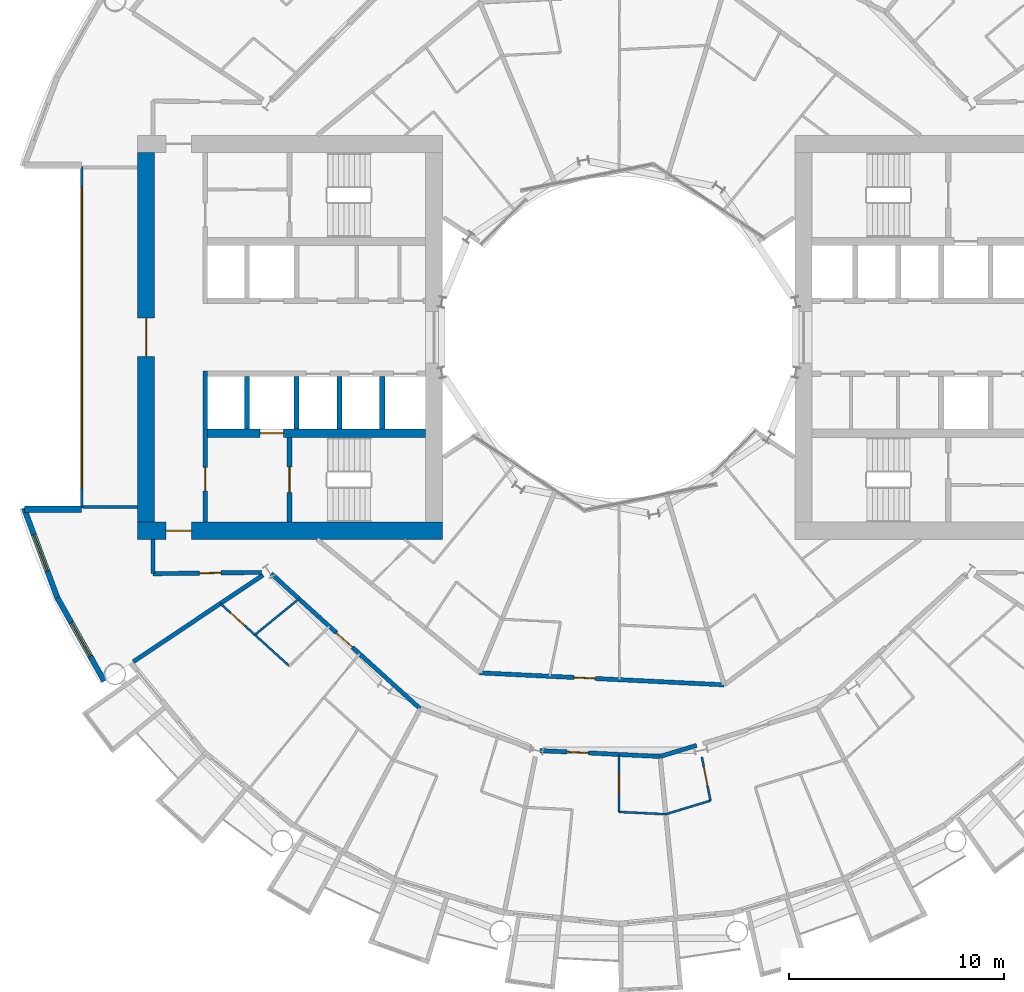
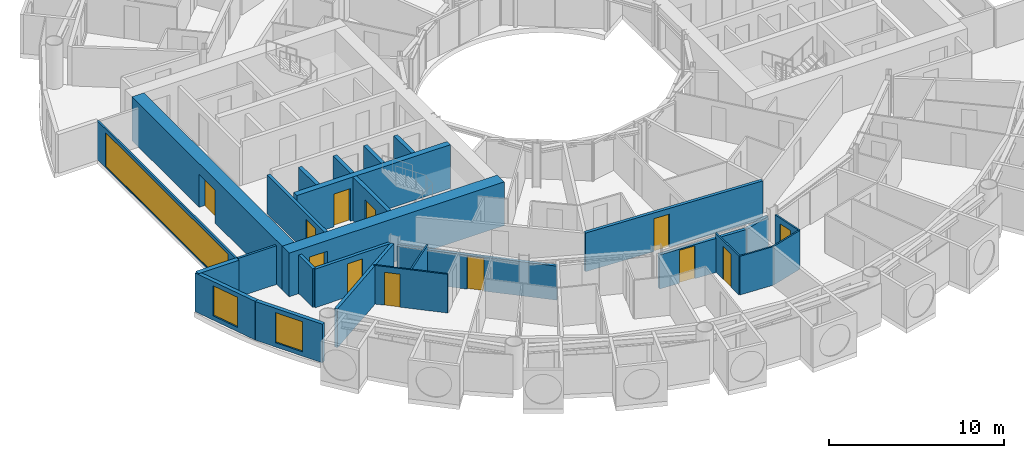
# One storey, part 14 of 25: 27 walls, 12 doors, 3 windows, 15 openings.
"""IFC4 building model written with IfcOpenShell, lengths in metres."""

from ifc_helpers import new_model, si_unit, direction, frame, frame_2d, origin, place, context, subcontext, project, spatial, rectangle, extrude, material, layer, layer_set, type_object, element, fill, save


model = new_model("IFC4")

# Units and contexts
model_context = context("Model", 3, precision=1e-05, world=origin(), true_north=direction((0.0, 1.0)))
body_context = subcontext(model_context, "Body", "Model", "MODEL_VIEW")
ifc_project = project(units=[si_unit("LENGTHUNIT", "METRE"), si_unit("AREAUNIT", "SQUARE_METRE"), si_unit("VOLUMEUNIT", "CUBIC_METRE"), si_unit("PLANEANGLEUNIT", "RADIAN"), si_unit("MASSUNIT", "GRAM", prefix="KILO")], contexts=[model_context])

# Site, building, storey
site_placement = place(None, origin())
site = spatial("IfcSite", under=ifc_project, at=site_placement, CompositionType="ELEMENT")
building_placement = place(site_placement, origin())
building = spatial("IfcBuilding", under=site, at=building_placement, Name="Maasbend Ring Residences", CompositionType="ELEMENT")
storey_placement = place(building_placement, frame((0.0, 0.0, 41.10009765625)))
storey = spatial("IfcBuildingStorey", under=building, at=storey_placement, Name="L11", CompositionType="ELEMENT", Elevation=41.10009765625)

# Wall, opening, door
ifc_material_1 = material(Name="Concrete C70/85", Category="concrete")
ifc_layer_1 = layer(ifc_material_1, 0.25)
ifc_layer_set_1 = layer_set([ifc_layer_1], Name="Concrete C70/85")
wall_type_1 = type_object("IfcWallType", Name="CORE WALL 250 C70/85", PredefinedType="SHEAR", material=ifc_layer_set_1)
wall_1_placement = place(storey_placement, frame((-15.324951171875, -4.64990234375, 0.0), z_axis=(0.0, 0.0, 1.0), x_axis=(0.0, -1.0, 0.0)))
wall_1 = element("IfcWall", 1, at=wall_1_placement, inside=storey, type_object=wall_type_1, Name="L11 core W wall STEN", PredefinedType="SHEAR", context=body_context, shape_type="SweptSolid", body=[
    extrude(rectangle(XDim=3.9501953125, YDim=0.25, at=frame_2d((1.97509765625, 0.0))), origin(), (0.0, 0.0, 1.0), 3.0498046875),
])
opening_1_placement = place(wall_1_placement, frame((1.375, 0.0, 0.0)))
opening_1 = element("IfcOpeningElement", 2, at=opening_1_placement, cuts=wall_1, Name="Opening D-W1110", PredefinedType="OPENING", context=body_context, shape_type="SweptSolid", body=[
    extrude(rectangle(XDim=1.199951171875, YDim=2.300048828125, at=frame_2d((0.60009765625, 1.14990234375))), frame((0.0, 0.135009765625, 0.0), z_axis=(0.0, -1.0, 0.0), x_axis=(1.0, 0.0, 0.0)), (0.0, 0.0, 1.0), 0.27001953125),
])
ifc_material_2 = material(Name="Steel, powder coated", Category="steel")
door_type_1 = type_object("IfcDoorType", Name="STAIR DOOR 1200 X 2300 FD60", OperationType="NOTDEFINED", PredefinedType="DOOR", material=ifc_material_2)
door_1_placement = place(opening_1_placement, origin())
door_1 = element("IfcDoor", 3, at=door_1_placement, inside=storey, type_object=door_type_1, Name="Stair door ST-W L11", OperationType="SINGLE_SWING_LEFT", OverallHeight=2.300048828125, OverallWidth=1.199951171875, PredefinedType="DOOR", context=body_context, shape_type="SweptSolid", body=[
    extrude(rectangle(XDim=1.199951171875, YDim=2.300048828125, at=frame_2d((0.60009765625, 1.14990234375))), frame((0.0, 0.02490234375, 0.0), z_axis=(0.0, -1.0, 0.0), x_axis=(1.0, 0.0, 0.0)), (0.0, 0.0, 1.0), 0.050048828125),
])
fill(opening_1, door_1)

ifc_material_3 = material(Name="Concrete C70/85", Category="concrete")
ifc_layer_2 = layer(ifc_material_3, 0.375)
ifc_layer_set_2 = layer_set([ifc_layer_2], Name="Concrete C70/85")
wall_type_2 = type_object("IfcWallType", Name="CORE WALL 375 C70/85", PredefinedType="SHEAR", material=ifc_layer_set_2)
wall_2_placement = place(storey_placement, frame((-9.0, -4.46240234375, 0.0), z_axis=(0.0, 0.0, 1.0), x_axis=(-1.0, 0.0, 0.0)))
wall_2 = element("IfcWall", 4, at=wall_2_placement, inside=storey, type_object=wall_type_2, Name="L11 core W wall BN", PredefinedType="SHEAR", context=body_context, shape_type="SweptSolid", body=[
    extrude(rectangle(XDim=10.14990234375, YDim=0.375, at=frame_2d((5.074951171875, 0.0))), origin(), (0.0, 0.0, 1.0), 3.0498046875),
])
opening_2_placement = place(wall_2_placement, frame((6.60009765625, 0.0, 0.0)))
opening_2 = element("IfcOpeningElement", 5, at=opening_2_placement, cuts=wall_2, Name="Opening LD-W1104", PredefinedType="OPENING", context=body_context, shape_type="SweptSolid", body=[
    extrude(rectangle(XDim=1.10009765625, YDim=2.300048828125, at=frame_2d((0.550048828125, 1.14990234375))), frame((0.0, 0.197509765625, 0.0), z_axis=(0.0, -1.0, 0.0), x_axis=(1.0, 0.0, 0.0)), (0.0, 0.0, 1.0), 0.39501953125),
])
ifc_material_4 = material(Name="Stainless steel 316", Category="steel")
door_type_2 = type_object("IfcDoorType", Name="LANDING DOOR 1100 X 2300 FD60", OperationType="DOUBLE_DOOR_SLIDING", PredefinedType="DOOR", material=ifc_material_4)
door_2_placement = place(opening_2_placement, origin())
door_2 = element("IfcDoor", 6, at=door_2_placement, inside=storey, type_object=door_type_2, Name="Landing door FF-W L11", OperationType="DOUBLE_DOOR_SLIDING", OverallHeight=2.300048828125, OverallWidth=1.10009765625, PredefinedType="DOOR", context=body_context, shape_type="SweptSolid", body=[
    extrude(rectangle(XDim=1.10009765625, YDim=2.300048828125, at=frame_2d((0.550048828125, 1.14990234375))), frame((0.0, 0.02490234375, 0.0), z_axis=(0.0, -1.0, 0.0), x_axis=(1.0, 0.0, 0.0)), (0.0, 0.0, 1.0), 0.050048828125),
])
fill(opening_2, door_2)

ifc_material_5 = material(Name="Concrete C70/85", Category="concrete")
ifc_layer_3 = layer(ifc_material_5, 0.800048828125)
ifc_layer_set_3 = layer_set([ifc_layer_3], Name="Concrete C70/85")
wall_type_3 = type_object("IfcWallType", Name="CORE WALL 800 C70/85", PredefinedType="SHEAR", material=ifc_layer_set_3)
wall_3_placement = place(storey_placement, frame((-22.39990234375, -9.0, 0.0), z_axis=(0.0, 0.0, 1.0), x_axis=(1.0, 0.0, 0.0)))
wall_3 = element("IfcWall", 7, at=wall_3_placement, inside=storey, type_object=wall_type_3, Name="L11 core W wall PN", PredefinedType="SHEAR", context=body_context, shape_type="SweptSolid", body=[
    extrude(rectangle(XDim=14.199951171875, YDim=0.800048828125, at=frame_2d((7.10009765625, 0.0))), origin(), (0.0, 0.0, 1.0), 3.0498046875),
])
opening_3_placement = place(wall_3_placement, frame((1.324951171875, 0.0, 0.0)))
opening_3 = element("IfcOpeningElement", 8, at=opening_3_placement, cuts=wall_3, Name="Opening D-W1114", PredefinedType="OPENING", context=body_context, shape_type="SweptSolid", body=[
    extrude(rectangle(XDim=1.199951171875, YDim=2.300048828125, at=frame_2d((0.60009765625, 1.14990234375))), frame((0.0, 0.41015625, 0.0), z_axis=(0.0, -1.0, 0.0), x_axis=(1.0, 0.0, 0.0)), (0.0, 0.0, 1.0), 0.820068359375),
])
ifc_material_6 = material(Name="Steel, powder coated", Category="steel")
door_type_3 = type_object("IfcDoorType", Name="CORRIDOR DOOR 1200 X 2300 FD30S", OperationType="NOTDEFINED", PredefinedType="DOOR", material=ifc_material_6)
door_3_placement = place(opening_3_placement, origin())
door_3 = element("IfcDoor", 9, at=door_3_placement, inside=storey, type_object=door_type_3, Name="Corridor door L11", OperationType="SINGLE_SWING_RIGHT", OverallHeight=2.300048828125, OverallWidth=1.199951171875, PredefinedType="DOOR", context=body_context, shape_type="SweptSolid", body=[
    extrude(rectangle(XDim=1.199951171875, YDim=2.300048828125, at=frame_2d((0.60009765625, 1.14990234375))), frame((0.0, 0.02490234375, 0.0), z_axis=(0.0, -1.0, 0.0), x_axis=(1.0, 0.0, 0.0)), (0.0, 0.0, 1.0), 0.050048828125),
])
fill(opening_3, door_3)

wall_4_placement = place(storey_placement, frame((-22.0, -8.60009765625, 0.0), z_axis=(0.0, 0.0, 1.0), x_axis=(0.0, 1.0, 0.0)))
wall_4 = element("IfcWall", 10, at=wall_4_placement, inside=storey, type_object=wall_type_3, Name="L11 core W wall POUT", PredefinedType="SHEAR", context=body_context, shape_type="SweptSolid", body=[
    extrude(rectangle(XDim=17.2001953125, YDim=0.800048828125, at=frame_2d((8.60009765625, 0.0))), origin(), (0.0, 0.0, 1.0), 3.0498046875),
])
opening_4_placement = place(wall_4_placement, frame((7.699951171875, 0.0, 0.0)))
opening_4 = element("IfcOpeningElement", 11, at=opening_4_placement, cuts=wall_4, Name="Opening D-W1116", PredefinedType="OPENING", context=body_context, shape_type="SweptSolid", body=[
    extrude(rectangle(XDim=1.800048828125, YDim=2.300048828125, at=frame_2d((0.89990234375, 1.14990234375))), frame((0.0, 0.41015625, 0.0), z_axis=(0.0, -1.0, 0.0), x_axis=(1.0, 0.0, 0.0)), (0.0, 0.0, 1.0), 0.820068359375),
])
ifc_material_7 = material(Name="Aluminium frame, clear glass", Category="aluminium")
door_type_4 = type_object("IfcDoorType", Name="ENTRANCE DOOR 1800 X 2300 FD60", OperationType="NOTDEFINED", PredefinedType="DOOR", material=ifc_material_7)
door_4_placement = place(opening_4_placement, origin())
door_4 = element("IfcDoor", 12, at=door_4_placement, inside=storey, type_object=door_type_4, Name="Lobby glazed door L11", OperationType="SINGLE_SWING_LEFT", OverallHeight=2.300048828125, OverallWidth=1.800048828125, PredefinedType="DOOR", context=body_context, shape_type="SweptSolid", body=[
    extrude(rectangle(XDim=1.800048828125, YDim=2.300048828125, at=frame_2d((0.89990234375, 1.14990234375))), frame((0.0, 0.02490234375, 0.0), z_axis=(0.0, -1.0, 0.0), x_axis=(1.0, 0.0, 0.0)), (0.0, 0.0, 1.0), 0.050048828125),
])
fill(opening_4, door_4)

ifc_material_8 = material(Name="Concrete C30/37", Category="concrete")
ifc_layer_4 = layer(ifc_material_8, 0.199951171875)
ifc_layer_set_4 = layer_set([ifc_layer_4], Name="Concrete C30/37")
wall_type_4 = type_object("IfcWallType", Name="CORRIDOR WALL 200 CONCRETE", PredefinedType="PARTITIONING", material=ifc_layer_set_4)
wall_5_placement = place(storey_placement, frame((-3.669921875, -19.23095703125, 0.0), z_axis=(0.0, 0.0, 1.0), x_axis=(0.99879118777, -0.049154483346, 0.0)))
wall_5 = element("IfcWall", 13, at=wall_5_placement, inside=storey, type_object=wall_type_4, Name="U-L11-w014", PredefinedType="PARTITIONING", context=body_context, shape_type="SweptSolid", body=[
    extrude(rectangle(XDim=5.59765625, YDim=0.199951171875, at=frame_2d((2.798828125, 0.0))), origin(), (0.0, 0.0, 1.0), 2.3798828125),
])
opening_5_placement = place(wall_5_placement, frame((1.263916015625, 0.0, 0.0)))
opening_5 = element("IfcOpeningElement", 14, at=opening_5_placement, cuts=wall_5, Name="Opening D-1144", PredefinedType="OPENING", context=body_context, shape_type="SweptSolid", body=[
    extrude(rectangle(XDim=1.0, YDim=2.300048828125, at=frame_2d((0.5, 1.14990234375))), frame((0.0, 0.10986328125, 0.0), z_axis=(0.0, -1.0, 0.0), x_axis=(1.0, 0.0, 0.0)), (0.0, 0.0, 1.0), 0.219970703125),
])
ifc_material_9 = material(Name="Timber, fire-rated, painted", Category="wood")
door_type_5 = type_object("IfcDoorType", Name="FLAT ENTRANCE DOOR 1000 X 2300 FIRE-RATED", OperationType="NOTDEFINED", PredefinedType="DOOR", material=ifc_material_9)
door_5_placement = place(opening_5_placement, origin())
door_5 = element("IfcDoor", 15, at=door_5_placement, inside=storey, type_object=door_type_5, Name="D-1144", OperationType="SINGLE_SWING_LEFT", OverallHeight=2.300048828125, OverallWidth=1.0, PredefinedType="DOOR", context=body_context, shape_type="SweptSolid", body=[
    extrude(rectangle(XDim=1.0, YDim=2.300048828125, at=frame_2d((0.5, 1.14990234375))), frame((0.0, 0.02490234375, 0.0), z_axis=(0.0, -1.0, 0.0), x_axis=(1.0, 0.0, 0.0)), (0.0, 0.0, 1.0), 0.050048828125),
])
fill(opening_5, door_5)

# Wall
wall_6_placement = place(storey_placement, frame((1.9208984375, -19.506103515625, 0.0), z_axis=(0.0, 0.0, 1.0), x_axis=(0.956929641646, 0.290319928594, 0.0)))
element("IfcWall", 16, at=wall_6_placement, inside=storey, type_object=wall_type_4, Name="U-L11-w015", PredefinedType="PARTITIONING", context=body_context, shape_type="SweptSolid", body=[
    extrude(rectangle(XDim=1.77783203125, YDim=0.199951171875, at=frame_2d((0.888916015625, 0.0))), origin(), (0.0, 0.0, 1.0), 2.3798828125),
])

# Wall, opening, door
wall_7_placement = place(storey_placement, frame((-16.178955078125, -10.993896484375, 0.0), z_axis=(0.0, 0.0, 1.0), x_axis=(0.740659568799, -0.671880497668, 0.0)))
wall_7 = element("IfcWall", 17, at=wall_7_placement, inside=storey, type_object=wall_type_4, Name="U-L11-w017", PredefinedType="PARTITIONING", context=body_context, shape_type="SweptSolid", body=[
    extrude(rectangle(XDim=9.3603515625, YDim=0.199951171875, at=frame_2d((4.68017578125, 0.0))), origin(), (0.0, 0.0, 1.0), 2.3798828125),
])
opening_6_placement = place(wall_7_placement, frame((4.10498046875, 0.0, 0.0)))
opening_6 = element("IfcOpeningElement", 18, at=opening_6_placement, cuts=wall_7, Name="Opening D-1135", PredefinedType="OPENING", context=body_context, shape_type="SweptSolid", body=[
    extrude(rectangle(XDim=1.0, YDim=2.300048828125, at=frame_2d((0.5, 1.14990234375))), frame((0.0, 0.10986328125, 0.0), z_axis=(0.0, -1.0, 0.0), x_axis=(1.0, 0.0, 0.0)), (0.0, 0.0, 1.0), 0.219970703125),
])
door_6_placement = place(opening_6_placement, origin())
door_6 = element("IfcDoor", 19, at=door_6_placement, inside=storey, type_object=door_type_5, Name="D-1135", OperationType="SINGLE_SWING_LEFT", OverallHeight=2.300048828125, OverallWidth=1.0, PredefinedType="DOOR", context=body_context, shape_type="SweptSolid", body=[
    extrude(rectangle(XDim=1.0, YDim=2.300048828125, at=frame_2d((0.5, 1.14990234375))), frame((0.0, 0.02490234375, 0.0), z_axis=(0.0, -1.0, 0.0), x_axis=(1.0, 0.0, 0.0)), (0.0, 0.0, 1.0), 0.050048828125),
])
fill(opening_6, door_6)

wall_8_placement = place(storey_placement, frame((-6.468994140625, -15.614013671875, 0.0), z_axis=(0.0, 0.0, 1.0), x_axis=(0.998798520108, -0.049005267363, 0.0)))
wall_8 = element("IfcWall", 20, at=wall_8_placement, inside=storey, type_object=wall_type_4, Name="U-L11-w020", PredefinedType="PARTITIONING", context=body_context, shape_type="SweptSolid", body=[
    extrude(rectangle(XDim=11.388671875, YDim=0.199951171875, at=frame_2d((5.6943359375, 0.0))), origin(), (0.0, 0.0, 1.0), 2.699951171875),
])
opening_7_placement = place(wall_8_placement, frame((4.383056640625, 0.0, 0.0)))
opening_7 = element("IfcOpeningElement", 21, at=opening_7_placement, cuts=wall_8, Name="Opening D-1161", PredefinedType="OPENING", context=body_context, shape_type="SweptSolid", body=[
    extrude(rectangle(XDim=1.0, YDim=2.300048828125, at=frame_2d((0.5, 1.14990234375))), frame((0.0, 0.10986328125, 0.0), z_axis=(0.0, -1.0, 0.0), x_axis=(1.0, 0.0, 0.0)), (0.0, 0.0, 1.0), 0.219970703125),
])
door_7_placement = place(opening_7_placement, origin())
door_7 = element("IfcDoor", 22, at=door_7_placement, inside=storey, type_object=door_type_5, Name="D-1161", OperationType="SINGLE_SWING_LEFT", OverallHeight=2.300048828125, OverallWidth=1.0, PredefinedType="DOOR", context=body_context, shape_type="SweptSolid", body=[
    extrude(rectangle(XDim=1.0, YDim=2.300048828125, at=frame_2d((0.5, 1.14990234375))), frame((0.0, 0.02490234375, 0.0), z_axis=(0.0, -1.0, 0.0), x_axis=(1.0, 0.0, 0.0)), (0.0, 0.0, 1.0), 0.050048828125),
])
fill(opening_7, door_7)

wall_9_placement = place(storey_placement, frame((-21.675048828125, -11.0, 0.0), z_axis=(0.0, 0.0, 1.0), x_axis=(0.999926652916, 0.012111514691, 0.0)))
wall_9 = element("IfcWall", 23, at=wall_9_placement, inside=storey, type_object=wall_type_4, Name="U-L11-w028", PredefinedType="PARTITIONING", context=body_context, shape_type="SweptSolid", body=[
    extrude(rectangle(XDim=5.03955078125, YDim=0.199951171875, at=frame_2d((2.519775390625, 0.0))), origin(), (0.0, 0.0, 1.0), 2.699951171875),
])
opening_8_placement = place(wall_9_placement, frame((2.154052734375, 0.0, 0.0)))
opening_8 = element("IfcOpeningElement", 24, at=opening_8_placement, cuts=wall_9, Name="Opening D-1169", PredefinedType="OPENING", context=body_context, shape_type="SweptSolid", body=[
    extrude(rectangle(XDim=1.0, YDim=2.300048828125, at=frame_2d((0.5, 1.14990234375))), frame((0.0, 0.10986328125, 0.0), z_axis=(0.0, -1.0, 0.0), x_axis=(1.0, 0.0, 0.0)), (0.0, 0.0, 1.0), 0.219970703125),
])
ifc_material_10 = material(Name="Timber, painted", Category="wood")
door_type_6 = type_object("IfcDoorType", Name="ROOM DOOR 1000 X 2300", OperationType="NOTDEFINED", PredefinedType="DOOR", material=ifc_material_10)
door_8_placement = place(opening_8_placement, origin())
door_8 = element("IfcDoor", 25, at=door_8_placement, inside=storey, type_object=door_type_6, Name="D-1169", OperationType="SINGLE_SWING_RIGHT", OverallHeight=2.300048828125, OverallWidth=1.0, PredefinedType="DOOR", context=body_context, shape_type="SweptSolid", body=[
    extrude(rectangle(XDim=1.0, YDim=2.300048828125, at=frame_2d((0.5, 1.14990234375))), frame((0.0, 0.02490234375, 0.0), z_axis=(0.0, -1.0, 0.0), x_axis=(1.0, 0.0, 0.0)), (0.0, 0.0, 1.0), 0.050048828125),
])
fill(opening_8, door_8)

# Wall
wall_10_placement = place(storey_placement, frame((-21.675048828125, -11.0, 0.0), z_axis=(0.0, 0.0, 1.0), x_axis=(0.0, 1.0, 0.0)))
element("IfcWall", 26, at=wall_10_placement, inside=storey, type_object=wall_type_4, Name="U-L11-w115", PredefinedType="PARTITIONING", context=body_context, shape_type="SweptSolid", body=[
    extrude(rectangle(XDim=1.60009765625, YDim=0.199951171875, at=frame_2d((0.800048828125, 0.0))), origin(), (0.0, 0.0, 1.0), 2.699951171875),
])

# Wall, opening, window
ifc_material_11 = material(Name="Aluminium clad insulated panel", Category="aluminium")
ifc_layer_5 = layer(ifc_material_11, 0.25)
ifc_layer_set_5 = layer_set([ifc_layer_5], Name="EW-HORN")
wall_type_5 = type_object("IfcWallType", Name="EW-HORN", PredefinedType="SOLIDWALL", material=ifc_layer_set_5)
wall_11_placement = place(storey_placement, frame((-27.681884765625, -7.945068359375, 0.0), z_axis=(0.0, 0.0, 1.0), x_axis=(0.349247811493, -0.937030397675, 0.0)))
wall_11 = element("IfcWall", 27, at=wall_11_placement, inside=storey, type_object=wall_type_5, Name="Horn wall 3.1", PredefinedType="SOLIDWALL", context=body_context, shape_type="SweptSolid", body=[
    extrude(rectangle(XDim=4.4521484375, YDim=0.25, at=frame_2d((2.22607421875, 0.0))), origin(), (0.0, 0.0, 1.0), 2.699951171875),
])
opening_9_placement = place(wall_11_placement, frame((1.32666015625, 0.0, 0.300048828125)))
opening_9 = element("IfcOpeningElement", 28, at=opening_9_placement, cuts=wall_11, Name="Opening W-BX", PredefinedType="OPENING", context=body_context, shape_type="SweptSolid", body=[
    extrude(rectangle(XDim=1.800048828125, YDim=2.10009765625, at=frame_2d((0.89990234375, 1.050048828125))), frame((0.0, 0.135009765625, 0.0), z_axis=(0.0, -1.0, 0.0), x_axis=(1.0, 0.0, 0.0)), (0.0, 0.0, 1.0), 0.27001953125),
])
ifc_material_12 = material(Name="Aluminium and clear glass", Category="aluminium")
window_type_1 = type_object("IfcWindowType", Name="W-BX", PartitioningType="DOUBLE_PANEL_VERTICAL", PredefinedType="WINDOW", material=ifc_material_12)
window_1_placement = place(opening_9_placement, origin())
window_1 = element("IfcWindow", 29, at=window_1_placement, inside=storey, type_object=window_type_1, Name="Horn window 3.1", OverallHeight=2.10009765625, OverallWidth=1.800048828125, PartitioningType="SINGLE_PANEL", PredefinedType="WINDOW", context=body_context, shape_type="SweptSolid", body=[
    extrude(rectangle(XDim=1.800048828125, YDim=2.10009765625, at=frame_2d((0.89990234375, 1.050048828125))), frame((0.0, 0.030029296875, 0.0), z_axis=(0.0, -1.0, 0.0), x_axis=(1.0, 0.0, 0.0)), (0.0, 0.0, 1.0), 0.06005859375),
])
fill(opening_9, window_1)

wall_12_placement = place(storey_placement, frame((-26.126953125, -12.116943359375, 0.0), z_axis=(0.0, 0.0, 1.0), x_axis=(0.489696356642, -0.871893042919, 0.0)))
wall_12 = element("IfcWall", 30, at=wall_12_placement, inside=storey, type_object=wall_type_5, Name="Horn wall 3.2", PredefinedType="SOLIDWALL", context=body_context, shape_type="SweptSolid", body=[
    extrude(rectangle(XDim=4.45361328125, YDim=0.25, at=frame_2d((2.226806640625, 0.0))), origin(), (0.0, 0.0, 1.0), 2.699951171875),
])
opening_10_placement = place(wall_12_placement, frame((1.32666015625, 0.0, 0.300048828125)))
opening_10 = element("IfcOpeningElement", 31, at=opening_10_placement, cuts=wall_12, Name="Opening W-BX", PredefinedType="OPENING", context=body_context, shape_type="SweptSolid", body=[
    extrude(rectangle(XDim=1.800048828125, YDim=2.10009765625, at=frame_2d((0.89990234375, 1.050048828125))), frame((0.0, 0.135009765625, 0.0), z_axis=(0.0, -1.0, 0.0), x_axis=(1.0, 0.0, 0.0)), (0.0, 0.0, 1.0), 0.27001953125),
])
window_2_placement = place(opening_10_placement, origin())
window_2 = element("IfcWindow", 32, at=window_2_placement, inside=storey, type_object=window_type_1, Name="Horn window 3.2", OverallHeight=2.10009765625, OverallWidth=1.800048828125, PartitioningType="SINGLE_PANEL", PredefinedType="WINDOW", context=body_context, shape_type="SweptSolid", body=[
    extrude(rectangle(XDim=1.800048828125, YDim=2.10009765625, at=frame_2d((0.89990234375, 1.050048828125))), frame((0.0, 0.030029296875, 0.0), z_axis=(0.0, -1.0, 0.0), x_axis=(1.0, 0.0, 0.0)), (0.0, 0.0, 1.0), 0.06005859375),
])
fill(opening_10, window_2)

# Wall
ifc_material_13 = material(Name="Aluminium clad insulated panel", Category="aluminium")
ifc_layer_6 = layer(ifc_material_13, 0.300048828125)
ifc_layer_set_6 = layer_set([ifc_layer_6], Name="EW-RET")
wall_type_6 = type_object("IfcWallType", Name="EW-RET", PredefinedType="SOLIDWALL", material=ifc_layer_set_6)
wall_13_placement = place(storey_placement, frame((-25.0, -8.0, 0.0), z_axis=(0.0, 0.0, 1.0), x_axis=(-1.0, 0.0, 0.0)))
element("IfcWall", 33, at=wall_13_placement, inside=storey, type_object=wall_type_6, Name="Notch return wall west south", PredefinedType="SOLIDWALL", context=body_context, shape_type="SweptSolid", body=[
    extrude(rectangle(XDim=2.6669921875, YDim=0.300048828125, at=frame_2d((1.33349609375, 0.0))), origin(), (0.0, 0.0, 1.0), 2.699951171875),
])

# Wall, opening, window
ifc_material_14 = material(Name="Aluminium frame and clear glass", Category="aluminium")
ifc_layer_7 = layer(ifc_material_14, 0.1201171875)
ifc_layer_set_7 = layer_set([ifc_layer_7], Name="GLAZED SCREEN WALL 120 EI 60")
wall_type_7 = type_object("IfcWallType", Name="GLAZED SCREEN WALL 120 EI 60", PredefinedType="PARTITIONING", material=ifc_layer_set_7)
wall_14_placement = place(storey_placement, frame((-25.0, 7.949951171875, 0.0), z_axis=(0.0, 0.0, 1.0), x_axis=(0.0, -1.0, 0.0)))
wall_14 = element("IfcWall", 34, at=wall_14_placement, inside=storey, type_object=wall_type_7, Name="L11 core W wall FACE", PredefinedType="PARTITIONING", context=body_context, shape_type="SweptSolid", body=[
    extrude(rectangle(XDim=15.89990234375, YDim=0.1201171875, at=frame_2d((7.949951171875, 0.0))), origin(), (0.0, 0.0, 1.0), 2.699951171875),
])
opening_11_placement = place(wall_14_placement, frame((0.949951171875, 0.0, 0.10009765625)))
opening_11 = element("IfcOpeningElement", 35, at=opening_11_placement, cuts=wall_14, Name="Opening W-W1102", PredefinedType="OPENING", context=body_context, shape_type="SweptSolid", body=[
    extrude(rectangle(XDim=14.0, YDim=2.35009765625, at=frame_2d((7.0, 1.175048828125))), frame((0.0, 0.070068359375, 0.0), z_axis=(0.0, -1.0, 0.0), x_axis=(1.0, 0.0, 0.0)), (0.0, 0.0, 1.0), 0.14013671875),
])
ifc_material_15 = material(Name="Aluminium frame and clear glass", Category="aluminium")
window_type_2 = type_object("IfcWindowType", Name="FIXED WINDOW 14000 X 2350", PartitioningType="SINGLE_PANEL", PredefinedType="WINDOW", material=ifc_material_15)
window_3_placement = place(opening_11_placement, origin())
window_3 = element("IfcWindow", 36, at=window_3_placement, inside=storey, type_object=window_type_2, Name="Lobby window L11", OverallHeight=2.35009765625, OverallWidth=14.0, PartitioningType="SINGLE_PANEL", PredefinedType="WINDOW", context=body_context, shape_type="SweptSolid", body=[
    extrude(rectangle(XDim=14.0, YDim=2.35009765625, at=frame_2d((7.0, 1.175048828125))), frame((0.0, 0.030029296875, 0.0), z_axis=(0.0, -1.0, 0.0), x_axis=(1.0, 0.0, 0.0)), (0.0, 0.0, 1.0), 0.06005859375),
])
fill(opening_11, window_3)

# Walls
ifc_material_16 = material(Name="Gypsum board on steel studs", Category="steel")
ifc_layer_8 = layer(ifc_material_16, 0.10009765625)
ifc_layer_set_8 = layer_set([ifc_layer_8], Name="PARTITION 100 GYPSUM")
wall_type_8 = type_object("IfcWallType", Name="PARTITION 100 GYPSUM", PredefinedType="PARTITIONING", material=ifc_layer_set_8)
wall_15_placement = place(storey_placement, frame((0.007080078125, -22.0859375, 0.0), z_axis=(0.0, 0.0, 1.0), x_axis=(0.998792477005, -0.049128279821, 0.0)))
element("IfcWall", 37, at=wall_15_placement, inside=storey, type_object=wall_type_8, Name="U-L11-w004", PredefinedType="PARTITIONING", context=body_context, shape_type="SweptSolid", body=[
    extrude(rectangle(XDim=2.181640625, YDim=0.10009765625, at=frame_2d((1.0908203125, 0.0))), origin(), (0.0, 0.0, 1.0), 2.699951171875),
])
wall_16_placement = place(storey_placement, frame((2.179931640625, -22.195068359375, 0.0), z_axis=(0.0, 0.0, 1.0), x_axis=(0.956838221976, 0.290621088303, 0.0)))
element("IfcWall", 38, at=wall_16_placement, inside=storey, type_object=wall_type_8, Name="U-L11-w005", PredefinedType="PARTITIONING", context=body_context, shape_type="SweptSolid", body=[
    extrude(rectangle(XDim=2.175048828125, YDim=0.10009765625, at=frame_2d((1.08740234375, 0.0))), origin(), (0.0, 0.0, 1.0), 2.699951171875),
])

# Wall, opening, door
wall_17_placement = place(storey_placement, frame((-18.544921875, -12.386962890625, 0.0), z_axis=(0.0, 0.0, 1.0), x_axis=(0.740948416939, -0.671561943112, 0.0)))
wall_17 = element("IfcWall", 39, at=wall_17_placement, inside=storey, type_object=wall_type_8, Name="U-L11-w009", PredefinedType="PARTITIONING", context=body_context, shape_type="SweptSolid", body=[
    extrude(rectangle(XDim=4.3349609375, YDim=0.10009765625, at=frame_2d((2.16748046875, 0.0))), origin(), (0.0, 0.0, 1.0), 2.699951171875),
])
opening_12_placement = place(wall_17_placement, frame((0.635986328125, 0.0, 0.0)))
opening_12 = element("IfcOpeningElement", 40, at=opening_12_placement, cuts=wall_17, Name="Opening D-1136", PredefinedType="OPENING", context=body_context, shape_type="SweptSolid", body=[
    extrude(rectangle(XDim=0.89990234375, YDim=2.300048828125, at=frame_2d((0.449951171875, 1.14990234375))), frame((0.0, 0.06005859375, 0.0), z_axis=(0.0, -1.0, 0.0), x_axis=(1.0, 0.0, 0.0)), (0.0, 0.0, 1.0), 0.1201171875),
])
ifc_material_17 = material(Name="Timber, painted", Category="wood")
door_type_7 = type_object("IfcDoorType", Name="INTERNAL DOOR 900 X 2300", OperationType="NOTDEFINED", PredefinedType="DOOR", material=ifc_material_17)
door_9_placement = place(opening_12_placement, origin())
door_9 = element("IfcDoor", 41, at=door_9_placement, inside=storey, type_object=door_type_7, Name="D-1136", OperationType="SINGLE_SWING_LEFT", OverallHeight=2.300048828125, OverallWidth=0.89990234375, PredefinedType="DOOR", context=body_context, shape_type="SweptSolid", body=[
    extrude(rectangle(XDim=0.89990234375, YDim=2.300048828125, at=frame_2d((0.449951171875, 1.14990234375))), frame((0.0, 0.02490234375, 0.0), z_axis=(0.0, -1.0, 0.0), x_axis=(1.0, 0.0, 0.0)), (0.0, 0.0, 1.0), 0.050048828125),
])
fill(opening_12, door_9)

# Wall
wall_18_placement = place(storey_placement, frame((-16.93603515625, -13.844970703125, 0.0), z_axis=(0.0, 0.0, 1.0), x_axis=(0.774162545943, 0.632986850147, 0.0)))
element("IfcWall", 42, at=wall_18_placement, inside=storey, type_object=wall_type_8, Name="U-L11-w038", PredefinedType="PARTITIONING", context=body_context, shape_type="SweptSolid", body=[
    extrude(rectangle(XDim=2.6494140625, YDim=0.10009765625, at=frame_2d((1.32470703125, 0.0))), origin(), (0.0, 0.0, 1.0), 2.699951171875),
])

# Wall, opening, door
wall_19_placement = place(storey_placement, frame((0.010009765625, -22.0859375, 0.0), z_axis=(0.0, 0.0, 1.0), x_axis=(-0.000365230071, 0.999999933303, 0.0)))
wall_19 = element("IfcWall", 43, at=wall_19_placement, inside=storey, type_object=wall_type_8, Name="U-L11-w063", PredefinedType="PARTITIONING", context=body_context, shape_type="SweptSolid", body=[
    extrude(rectangle(XDim=2.673828125, YDim=0.10009765625, at=frame_2d((1.3369140625, 0.0))), origin(), (0.0, 0.0, 1.0), 2.699951171875),
])
opening_13_placement = place(wall_19_placement, frame((0.886962890625, 0.0, 0.0)))
opening_13 = element("IfcOpeningElement", 44, at=opening_13_placement, cuts=wall_19, Name="Opening D-1145", PredefinedType="OPENING", context=body_context, shape_type="SweptSolid", body=[
    extrude(rectangle(XDim=0.89990234375, YDim=2.300048828125, at=frame_2d((0.449951171875, 1.14990234375))), frame((0.0, 0.06005859375, 0.0), z_axis=(0.0, -1.0, 0.0), x_axis=(1.0, 0.0, 0.0)), (0.0, 0.0, 1.0), 0.1201171875),
])
door_10_placement = place(opening_13_placement, origin())
door_10 = element("IfcDoor", 45, at=door_10_placement, inside=storey, type_object=door_type_7, Name="D-1145", OperationType="SINGLE_SWING_RIGHT", OverallHeight=2.300048828125, OverallWidth=0.89990234375, PredefinedType="DOOR", context=body_context, shape_type="SweptSolid", body=[
    extrude(rectangle(XDim=0.89990234375, YDim=2.300048828125, at=frame_2d((0.449951171875, 1.14990234375))), frame((0.0, 0.02490234375, 0.0), z_axis=(0.0, -1.0, 0.0), x_axis=(1.0, 0.0, 0.0)), (0.0, 0.0, 1.0), 0.050048828125),
])
fill(opening_13, door_10)

wall_20_placement = place(storey_placement, frame((3.865966796875, -19.531005859375, 0.0), z_axis=(0.0, 0.0, 1.0), x_axis=(0.193846698927, -0.981031832977, 0.0)))
wall_20 = element("IfcWall", 46, at=wall_20_placement, inside=storey, type_object=wall_type_8, Name="U-L11-w070", PredefinedType="PARTITIONING", context=body_context, shape_type="SweptSolid", body=[
    extrude(rectangle(XDim=2.0693359375, YDim=0.10009765625, at=frame_2d((1.03466796875, 0.0))), origin(), (0.0, 0.0, 1.0), 2.699951171875),
])
opening_14_placement = place(wall_20_placement, frame((0.458984375, 0.0, 0.0)))
opening_14 = element("IfcOpeningElement", 47, at=opening_14_placement, cuts=wall_20, Name="Opening D-1148", PredefinedType="OPENING", context=body_context, shape_type="SweptSolid", body=[
    extrude(rectangle(XDim=0.89990234375, YDim=2.300048828125, at=frame_2d((0.449951171875, 1.14990234375))), frame((0.0, 0.06005859375, 0.0), z_axis=(0.0, -1.0, 0.0), x_axis=(1.0, 0.0, 0.0)), (0.0, 0.0, 1.0), 0.1201171875),
])
door_11_placement = place(opening_14_placement, origin())
door_11 = element("IfcDoor", 48, at=door_11_placement, inside=storey, type_object=door_type_7, Name="D-1148", OperationType="SINGLE_SWING_LEFT", OverallHeight=2.300048828125, OverallWidth=0.89990234375, PredefinedType="DOOR", context=body_context, shape_type="SweptSolid", body=[
    extrude(rectangle(XDim=0.89990234375, YDim=2.300048828125, at=frame_2d((0.449951171875, 1.14990234375))), frame((0.0, 0.02490234375, 0.0), z_axis=(0.0, -1.0, 0.0), x_axis=(1.0, 0.0, 0.0)), (0.0, 0.0, 1.0), 0.050048828125),
])
fill(opening_14, door_11)

# Walls
ifc_material_18 = material(Name="Gypsum board on steel studs", Category="steel")
ifc_layer_9 = layer(ifc_material_18, 0.14990234375)
ifc_layer_set_9 = layer_set([ifc_layer_9], Name="PARTITION 150 EI 60")
wall_type_9 = type_object("IfcWallType", Name="PARTITION 150 EI 60", PredefinedType="PARTITIONING", material=ifc_layer_set_9)
wall_21_placement = place(storey_placement, frame((-22.39990234375, -7.89990234375, 0.0), z_axis=(0.0, 0.0, 1.0), x_axis=(-1.0, 0.0, 0.0)))
element("IfcWall", 49, at=wall_21_placement, inside=storey, type_object=wall_type_9, Name="L11 core W wall CITN", PredefinedType="PARTITIONING", context=body_context, shape_type="SweptSolid", body=[
    extrude(rectangle(XDim=2.5400390625, YDim=0.14990234375, at=frame_2d((1.27001953125, 0.0))), origin(), (0.0, 0.0, 1.0), 2.699951171875),
])
ifc_material_19 = material(Name="Concrete C30/37", Category="concrete")
ifc_layer_10 = layer(ifc_material_19, 0.199951171875)
ifc_layer_set_10 = layer_set([ifc_layer_10], Name="Concrete C30/37")
wall_type_10 = type_object("IfcWallType", Name="PARTY WALL 200 CONCRETE", PredefinedType="PARTITIONING", material=ifc_layer_set_10)
wall_22_placement = place(storey_placement, frame((-22.594970703125, -15.096923828125, 0.0), z_axis=(0.0, 0.0, 1.0), x_axis=(0.831465568067, 0.555576285599, 0.0)))
element("IfcWall", 50, at=wall_22_placement, inside=storey, type_object=wall_type_10, Name="U-L11-w032", PredefinedType="PARTITIONING", context=body_context, shape_type="SweptSolid", body=[
    extrude(rectangle(XDim=7.264404296875, YDim=0.199951171875, at=frame_2d((3.63232421875, 0.0))), origin(), (0.0, 0.0, 1.0), 2.699951171875),
])

# Wall, opening, door
ifc_material_20 = material(Name="Concrete C30/37", Category="concrete")
ifc_layer_11 = layer(ifc_material_20, 0.199951171875)
ifc_layer_set_11 = layer_set([ifc_layer_11], Name="Concrete C30/37")
wall_type_11 = type_object("IfcWallType", Name="SHAFT WALL 200 EI 120", PredefinedType="SOLIDWALL", material=ifc_layer_set_11)
wall_23_placement = place(storey_placement, frame((-19.25, -1.574951171875, 0.0), z_axis=(0.0, 0.0, 1.0), x_axis=(0.0, -1.0, 0.0)))
wall_23 = element("IfcWall", 51, at=wall_23_placement, inside=storey, type_object=wall_type_11, Name="L11 core W wall ENDN", PredefinedType="SOLIDWALL", context=body_context, shape_type="SweptSolid", body=[
    extrude(rectangle(XDim=7.025146484375, YDim=0.199951171875, at=frame_2d((3.5126953125, 0.0))), origin(), (0.0, 0.0, 1.0), 2.699951171875),
])
opening_15_placement = place(wall_23_placement, frame((4.47509765625, 0.0, 0.0)))
opening_15 = element("IfcOpeningElement", 52, at=opening_15_placement, cuts=wall_23, Name="Opening D-W1112", PredefinedType="OPENING", context=body_context, shape_type="SweptSolid", body=[
    extrude(rectangle(XDim=1.10009765625, YDim=2.300048828125, at=frame_2d((0.550048828125, 1.14990234375))), frame((0.0, 0.10986328125, 0.0), z_axis=(0.0, -1.0, 0.0), x_axis=(1.0, 0.0, 0.0)), (0.0, 0.0, 1.0), 0.219970703125),
])
ifc_material_21 = material(Name="Steel, powder coated", Category="steel")
door_type_8 = type_object("IfcDoorType", Name="LOBBY DOOR 1100 X 2300 FD60", OperationType="NOTDEFINED", PredefinedType="DOOR", material=ifc_material_21)
door_12_placement = place(opening_15_placement, origin())
door_12 = element("IfcDoor", 53, at=door_12_placement, inside=storey, type_object=door_type_8, Name="Lobby door L11", OperationType="SINGLE_SWING_LEFT", OverallHeight=2.300048828125, OverallWidth=1.10009765625, PredefinedType="DOOR", context=body_context, shape_type="SweptSolid", body=[
    extrude(rectangle(XDim=1.10009765625, YDim=2.300048828125, at=frame_2d((0.550048828125, 1.14990234375))), frame((0.0, 0.02490234375, 0.0), z_axis=(0.0, -1.0, 0.0), x_axis=(1.0, 0.0, 0.0)), (0.0, 0.0, 1.0), 0.050048828125),
])
fill(opening_15, door_12)

# Walls
ifc_material_22 = material(Name="Concrete C30/37", Category="concrete")
ifc_layer_12 = layer(ifc_material_22, 0.25)
ifc_layer_set_12 = layer_set([ifc_layer_12], Name="Concrete C30/37")
wall_type_12 = type_object("IfcWallType", Name="SHAFT WALL 250 EI 120", PredefinedType="SOLIDWALL", material=ifc_layer_set_12)
for number, where, z_axis, x_axis, name in (
    (54, (-15.0, -1.824951171875, 0.0), (0.0, 0.0, 1.0), (0.0, -1.0, 0.0), "L11 core W wall D150N"),
    (55, (-17.300048828125, -1.824951171875, 0.0), (0.0, 0.0, 1.0), (0.0, -1.0, 0.0), "L11 core W wall D173N"),
    (56, (-11.0, -1.824951171875, 0.0), (0.0, 0.0, 1.0), (0.0, -1.0, 0.0), "L11 core W wall D110N"),
    (57, (-13.0, -1.824951171875, 0.0), (0.0, 0.0, 1.0), (0.0, -1.0, 0.0), "L11 core W wall D130N"),
):
    element("IfcWall", number, at=place(storey_placement, frame(where, z_axis=z_axis, x_axis=x_axis)), inside=storey, type_object=wall_type_12, Name=name, PredefinedType="SOLIDWALL", context=body_context, shape_type="SweptSolid", body=[
        extrude(rectangle(XDim=2.449951171875, YDim=0.25, at=frame_2d((1.22509765625, 0.0))), origin(), (0.0, 0.0, 1.0), 2.699951171875),
    ])

save(model, "model.ifc")
